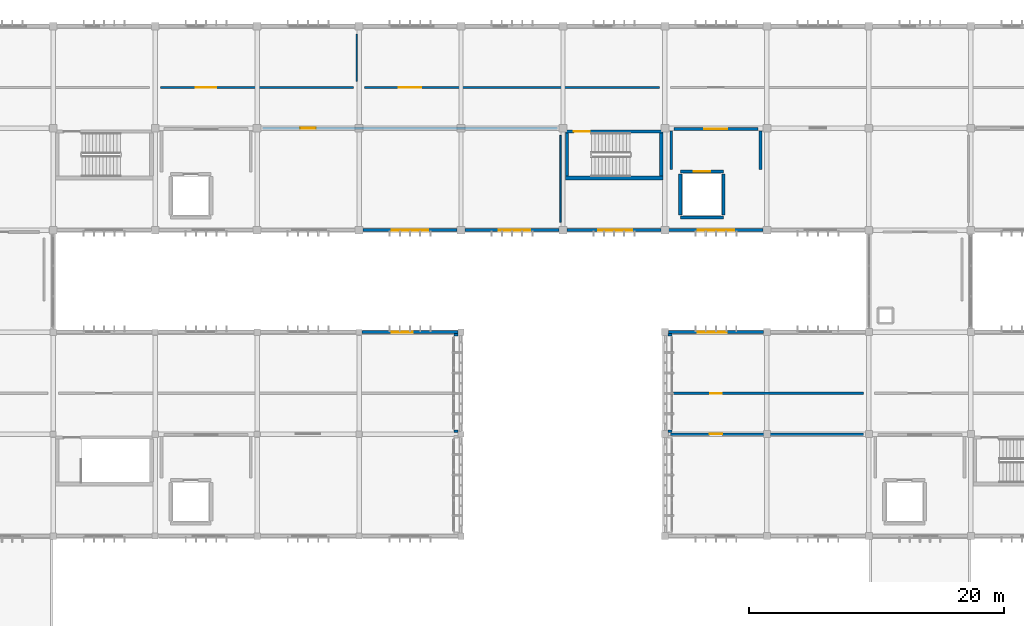
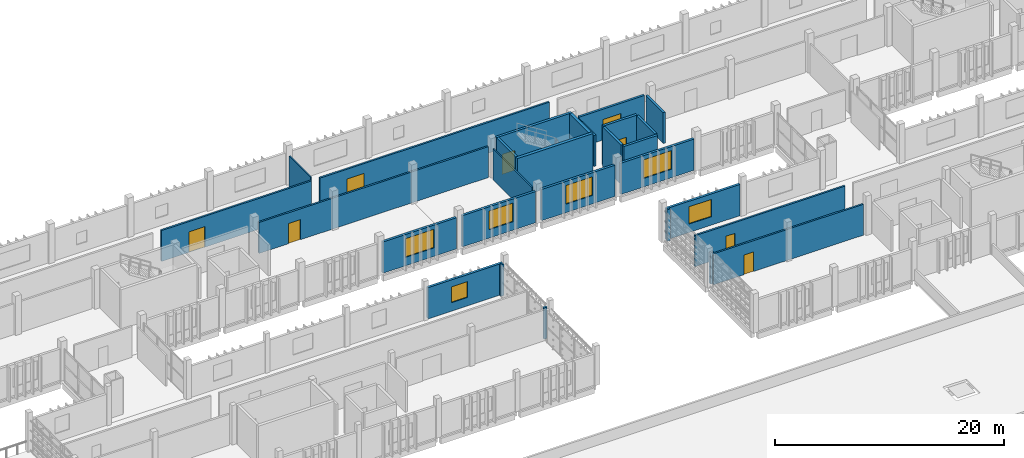
# One storey, part 34 of 48: 28 walls, 8 doors, 6 windows, 14 openings.
"""IFC4 building model written with IfcOpenShell, lengths in metres."""

from ifc_helpers import new_model, si_unit, direction, frame, frame_2d, origin, place, context, subcontext, project, spatial, rectangle, extrude, material, layer, layer_set, type_object, element, fill, save


model = new_model("IFC4")

# Units and contexts
model_context = context("Model", 3, precision=1e-05, world=origin(), true_north=direction((0.0, 1.0)))
body_context = subcontext(model_context, "Body", "Model", "MODEL_VIEW")
ifc_project = project(units=[si_unit("LENGTHUNIT", "METRE"), si_unit("AREAUNIT", "SQUARE_METRE"), si_unit("VOLUMEUNIT", "CUBIC_METRE"), si_unit("PLANEANGLEUNIT", "RADIAN"), si_unit("MASSUNIT", "GRAM", prefix="KILO")], contexts=[model_context])

# Site, building, storey
site_placement = place(None, origin())
site = spatial("IfcSite", under=ifc_project, at=site_placement, CompositionType="ELEMENT")
building_placement = place(site_placement, origin())
building = spatial("IfcBuilding", under=site, at=building_placement, Name="Jelvoka-Kovrelna Polytechnic", CompositionType="ELEMENT")
storey_placement = place(building_placement, frame((0.0, 0.0, 22.199951171875)))
storey = spatial("IfcBuildingStorey", under=building, at=storey_placement, Name="L06", CompositionType="ELEMENT", Elevation=22.199951171875)

# Wall, opening, door
ifc_material_1 = material(Name="Concrete C35/45", Category="concrete")
ifc_layer_1 = layer(ifc_material_1, 0.219970703125)
ifc_layer_set_1 = layer_set([ifc_layer_1], Name="Concrete C35/45")
wall_type_1 = type_object("IfcWallType", Name="Wall_Compartment_220", PredefinedType="PARTITIONING", material=ifc_layer_set_1)
wall_1_placement = place(storey_placement, frame((128.699951171875, 63.949951171875, 0.0), z_axis=(0.0, 0.0, 1.0), x_axis=(1.0, 0.0, 0.0)))
wall_1 = element("IfcWall", 1, at=wall_1_placement, inside=storey, type_object=wall_type_1, Name="L06 interior wall 0674", PredefinedType="PARTITIONING", context=body_context, shape_type="SweptSolid", body=[
    extrude(rectangle(XDim=6.60009765625, YDim=0.219970703125, at=frame_2d((3.300048828125, 0.0))), origin(), (0.0, 0.0, 1.0), 3.300048828125),
])
opening_1_placement = place(wall_1_placement, frame((2.39990234375, 0.0, 0.0)))
opening_1 = element("IfcOpeningElement", 2, at=opening_1_placement, cuts=wall_1, Name="Opening FD-L06-115", PredefinedType="OPENING", context=body_context, shape_type="SweptSolid", body=[
    extrude(rectangle(XDim=1.800048828125, YDim=2.199951171875, at=frame_2d((0.89990234375, 1.10009765625))), frame((0.0, 0.119873046875, 0.0), z_axis=(0.0, -1.0, 0.0), x_axis=(1.0, 0.0, 0.0)), (0.0, 0.0, 1.0), 0.239990234375),
])
ifc_material_2 = material(Name="Paired steel corridor fire door", Category="steel")
door_type_1 = type_object("IfcDoorType", Name="Door_Fire_FD03", OperationType="NOTDEFINED", PredefinedType="DOOR", material=ifc_material_2)
door_1_placement = place(opening_1_placement, origin())
door_1 = element("IfcDoor", 3, at=door_1_placement, inside=storey, type_object=door_type_1, Name="L06 interior door FD-L06-115", OperationType="DOUBLE_DOOR_SINGLE_SWING", OverallHeight=2.199951171875, OverallWidth=1.800048828125, PredefinedType="DOOR", context=body_context, shape_type="SweptSolid", body=[
    extrude(rectangle(XDim=1.800048828125, YDim=2.199951171875, at=frame_2d((0.89990234375, 1.10009765625))), frame((0.0, 0.02490234375, 0.0), z_axis=(0.0, -1.0, 0.0), x_axis=(1.0, 0.0, 0.0)), (0.0, 0.0, 1.0), 0.050048828125),
])
fill(opening_1, door_1)

# Walls
for number, where, z_axis, x_axis, name in (
    (4, (128.5, 60.75, 0.0), (0.0, 0.0, 1.0), (0.0, 1.0, 0.0), "L06 interior wall 0675"),
    (5, (135.5, 60.75, 0.0), (0.0, 0.0, 1.0), (0.0, 1.0, 0.0), "L06 interior wall 0676"),
):
    element("IfcWall", number, at=place(storey_placement, frame(where, z_axis=z_axis, x_axis=x_axis)), inside=storey, type_object=wall_type_1, Name=name, PredefinedType="PARTITIONING", context=body_context, shape_type="SweptSolid", body=[
        extrude(rectangle(XDim=3.050048828125, YDim=0.219970703125, at=frame_2d((1.52490234375, 0.0))), origin(), (0.0, 0.0, 1.0), 3.300048828125),
    ])

# Wall, opening, door
ifc_material_3 = material(Name="Concrete C40/50", Category="concrete")
ifc_layer_2 = layer(ifc_material_3, 0.25)
ifc_layer_set_2 = layer_set([ifc_layer_2], Name="Concrete C40/50")
wall_type_2 = type_object("IfcWallType", Name="Wall_Core_250", PredefinedType="SOLIDWALL", material=ifc_layer_set_2)
wall_2_placement = place(storey_placement, frame((120.199951171875, 63.739990234375, 0.0), z_axis=(0.0, 0.0, 1.0), x_axis=(1.0, 0.0, 0.0)))
wall_2 = element("IfcWall", 6, at=wall_2_placement, inside=storey, type_object=wall_type_2, Name="L06 interior wall 0243", PredefinedType="SOLIDWALL", context=body_context, shape_type="SweptSolid", body=[
    extrude(rectangle(XDim=7.650146484375, YDim=0.25, at=frame_2d((3.8251953125, 0.0))), origin(), (0.0, 0.0, 1.0), 4.199951171875),
])
opening_2_placement = place(wall_2_placement, frame((0.64990234375, 0.0, 0.0)))
opening_2 = element("IfcOpeningElement", 7, at=opening_2_placement, cuts=wall_2, Name="Opening SD-L06-061", PredefinedType="OPENING", context=body_context, shape_type="SweptSolid", body=[
    extrude(rectangle(XDim=1.25, YDim=2.14990234375, at=frame_2d((0.625, 1.074951171875))), frame((0.0, 0.135009765625, 0.0), z_axis=(0.0, -1.0, 0.0), x_axis=(1.0, 0.0, 0.0)), (0.0, 0.0, 1.0), 0.27001953125),
])
ifc_material_4 = material(Name="Powder-coated steel fire door", Category="steel")
door_type_2 = type_object("IfcDoorType", Name="Door_Fire_FD02", OperationType="NOTDEFINED", PredefinedType="DOOR", material=ifc_material_4)
door_2_placement = place(opening_2_placement, origin())
door_2 = element("IfcDoor", 8, at=door_2_placement, inside=storey, type_object=door_type_2, Name="L06 interior door SD-L06-061", OperationType="SINGLE_SWING_LEFT", OverallHeight=2.14990234375, OverallWidth=1.25, PredefinedType="DOOR", context=body_context, shape_type="SweptSolid", body=[
    extrude(rectangle(XDim=1.25, YDim=2.14990234375, at=frame_2d((0.625, 1.074951171875))), frame((0.0, 0.02490234375, 0.0), z_axis=(0.0, -1.0, 0.0), x_axis=(1.0, 0.0, 0.0)), (0.0, 0.0, 1.0), 0.050048828125),
])
fill(opening_2, door_2)

# Walls
wall_3_placement = place(storey_placement, frame((120.324951171875, 60.25, 0.0), z_axis=(0.0, 0.0, 1.0), x_axis=(0.0, 1.0, 0.0)))
element("IfcWall", 9, at=wall_3_placement, inside=storey, type_object=wall_type_2, Name="L06 interior wall 0244", PredefinedType="SOLIDWALL", context=body_context, shape_type="SweptSolid", body=[
    extrude(rectangle(XDim=3.360107421875, YDim=0.25, at=frame_2d((1.68017578125, 0.0))), origin(), (0.0, 0.0, 1.0), 4.199951171875),
])
wall_4_placement = place(storey_placement, frame((129.199951171875, 57.0, 0.0), z_axis=(0.0, 0.0, 1.0), x_axis=(1.0, 0.0, 0.0)))
element("IfcWall", 10, at=wall_4_placement, inside=storey, type_object=wall_type_2, Name="L06 interior wall 0670", PredefinedType="SOLIDWALL", context=body_context, shape_type="SweptSolid", body=[
    extrude(rectangle(XDim=3.400146484375, YDim=0.25, at=frame_2d((1.7001953125, 0.0))), origin(), (0.0, 0.0, 1.0), 4.199951171875),
])

# Wall, opening, door
wall_5_placement = place(storey_placement, frame((129.199951171875, 60.60009765625, 0.0), z_axis=(0.0, 0.0, 1.0), x_axis=(1.0, 0.0, 0.0)))
wall_5 = element("IfcWall", 11, at=wall_5_placement, inside=storey, type_object=wall_type_2, Name="L06 interior wall 0671", PredefinedType="SOLIDWALL", context=body_context, shape_type="SweptSolid", body=[
    extrude(rectangle(XDim=3.400146484375, YDim=0.25, at=frame_2d((1.7001953125, 0.0))), origin(), (0.0, 0.0, 1.0), 4.199951171875),
])
opening_3_placement = place(wall_5_placement, frame((1.050048828125, 0.0, 0.0)))
opening_3 = element("IfcOpeningElement", 12, at=opening_3_placement, cuts=wall_5, Name="Opening LD-L06-52", PredefinedType="OPENING", context=body_context, shape_type="SweptSolid", body=[
    extrude(rectangle(XDim=1.300048828125, YDim=2.199951171875, at=frame_2d((0.64990234375, 1.10009765625))), frame((0.0, 0.135009765625, 0.0), z_axis=(0.0, -1.0, 0.0), x_axis=(1.0, 0.0, 0.0)), (0.0, 0.0, 1.0), 0.27001953125),
])
ifc_material_5 = material(Name="Heavy-duty stainless goods lift landing door", Category="wood")
door_type_3 = type_object("IfcDoorType", Name="Door_Lift_LD02", OperationType="NOTDEFINED", PredefinedType="DOOR", material=ifc_material_5)
door_3_placement = place(opening_3_placement, origin())
door_3 = element("IfcDoor", 13, at=door_3_placement, inside=storey, type_object=door_type_3, Name="L06 lift landing sliding door LD-L06-52", OperationType="DOUBLE_DOOR_SLIDING", OverallHeight=2.199951171875, OverallWidth=1.300048828125, PredefinedType="DOOR", context=body_context, shape_type="SweptSolid", body=[
    extrude(rectangle(XDim=1.300048828125, YDim=2.199951171875, at=frame_2d((0.64990234375, 1.10009765625))), frame((0.0, 0.02490234375, 0.0), z_axis=(0.0, -1.0, 0.0), x_axis=(1.0, 0.0, 0.0)), (0.0, 0.0, 1.0), 0.050048828125),
])
fill(opening_3, door_3)

# Walls
for number, where, z_axis, x_axis, name in (
    (14, (129.199951171875, 57.199951171875, 0.0), (0.0, 0.0, 1.0), (0.0, 1.0, 0.0), "L06 interior wall 0672"),
    (15, (132.60009765625, 57.199951171875, 0.0), (0.0, 0.0, 1.0), (0.0, 1.0, 0.0), "L06 interior wall 0673"),
):
    element("IfcWall", number, at=place(storey_placement, frame(where, z_axis=z_axis, x_axis=x_axis)), inside=storey, type_object=wall_type_2, Name=name, PredefinedType="SOLIDWALL", context=body_context, shape_type="SweptSolid", body=[
        extrude(rectangle(XDim=3.199951171875, YDim=0.25, at=frame_2d((1.60009765625, 0.0))), origin(), (0.0, 0.0, 1.0), 4.199951171875),
    ])

# Wall, opening, door
ifc_material_6 = material(Name="Autoclaved aerated concrete blockwork", Category="masonry")
ifc_layer_3 = layer(ifc_material_6, 0.179931640625)
ifc_layer_set_3 = layer_set([ifc_layer_3], Name="Autoclaved aerated concrete blockwork")
wall_type_3 = type_object("IfcWallType", Name="Wall_Corridor_180", PredefinedType="PARTITIONING", material=ifc_layer_set_3)
wall_6_placement = place(storey_placement, frame((128.429931640625, 40.0, 0.0), z_axis=(0.0, 0.0, 1.0), x_axis=(1.0, 0.0, 0.0)))
wall_6 = element("IfcWall", 16, at=wall_6_placement, inside=storey, type_object=wall_type_3, Name="L06 interior wall 1244", PredefinedType="PARTITIONING", context=body_context, shape_type="SweptSolid", body=[
    extrude(rectangle(XDim=15.14013671875, YDim=0.179931640625, at=frame_2d((7.570068359375, 0.0))), origin(), (0.0, 0.0, 1.0), 3.300048828125),
])
opening_4_placement = place(wall_6_placement, frame((3.080078125, 0.0, 0.0)))
opening_4 = element("IfcOpeningElement", 17, at=opening_4_placement, cuts=wall_6, Name="Opening D-L06-420", PredefinedType="OPENING", context=body_context, shape_type="SweptSolid", body=[
    extrude(rectangle(XDim=0.97998046875, YDim=2.10009765625, at=frame_2d((0.489990234375, 1.050048828125))), frame((0.0, 0.099853515625, 0.0), z_axis=(0.0, -1.0, 0.0), x_axis=(1.0, 0.0, 0.0)), (0.0, 0.0, 1.0), 0.199951171875),
])
ifc_material_7 = material(Name="Hardwood solid-core door", Category="wood")
door_type_4 = type_object("IfcDoorType", Name="Door_Int_D03", OperationType="NOTDEFINED", PredefinedType="DOOR", material=ifc_material_7)
door_4_placement = place(opening_4_placement, origin())
door_4 = element("IfcDoor", 18, at=door_4_placement, inside=storey, type_object=door_type_4, Name="L06 interior door D-L06-420", OperationType="SINGLE_SWING_RIGHT", OverallHeight=2.10009765625, OverallWidth=0.97998046875, PredefinedType="DOOR", context=body_context, shape_type="SweptSolid", body=[
    extrude(rectangle(XDim=0.97998046875, YDim=2.10009765625, at=frame_2d((0.489990234375, 1.050048828125))), frame((0.0, 0.02490234375, 0.0), z_axis=(0.0, -1.0, 0.0), x_axis=(1.0, 0.0, 0.0)), (0.0, 0.0, 1.0), 0.050048828125),
])
fill(opening_4, door_4)

wall_7_placement = place(storey_placement, frame((128.429931640625, 43.199951171875, 0.0), z_axis=(0.0, 0.0, 1.0), x_axis=(1.0, 0.0, 0.0)))
wall_7 = element("IfcWall", 19, at=wall_7_placement, inside=storey, type_object=wall_type_3, Name="L06 interior wall 1247", PredefinedType="PARTITIONING", context=body_context, shape_type="SweptSolid", body=[
    extrude(rectangle(XDim=15.14013671875, YDim=0.179931640625, at=frame_2d((7.570068359375, 0.0))), origin(), (0.0, 0.0, 1.0), 3.300048828125),
])
opening_5_placement = place(wall_7_placement, frame((3.110107421875, 0.0, 0.0)))
opening_5 = element("IfcOpeningElement", 20, at=opening_5_placement, cuts=wall_7, Name="Opening D-L06-423", PredefinedType="OPENING", context=body_context, shape_type="SweptSolid", body=[
    extrude(rectangle(XDim=0.919921875, YDim=2.14990234375, at=frame_2d((0.4599609375, 1.074951171875))), frame((0.0, 0.099853515625, 0.0), z_axis=(0.0, -1.0, 0.0), x_axis=(1.0, 0.0, 0.0)), (0.0, 0.0, 1.0), 0.199951171875),
])
ifc_material_8 = material(Name="Hardwood solid-core door", Category="wood")
door_type_5 = type_object("IfcDoorType", Name="Door_Int_D06", OperationType="NOTDEFINED", PredefinedType="DOOR", material=ifc_material_8)
door_5_placement = place(opening_5_placement, origin())
door_5 = element("IfcDoor", 21, at=door_5_placement, inside=storey, type_object=door_type_5, Name="L06 interior door D-L06-423", OperationType="SINGLE_SWING_RIGHT", OverallHeight=2.14990234375, OverallWidth=0.919921875, PredefinedType="DOOR", context=body_context, shape_type="SweptSolid", body=[
    extrude(rectangle(XDim=0.919921875, YDim=2.14990234375, at=frame_2d((0.4599609375, 1.074951171875))), frame((0.0, 0.02490234375, 0.0), z_axis=(0.0, -1.0, 0.0), x_axis=(1.0, 0.0, 0.0)), (0.0, 0.0, 1.0), 0.050048828125),
])
fill(opening_5, door_5)

wall_8_placement = place(storey_placement, frame((96.429931640625, 64.0, 0.0), z_axis=(0.0, 0.0, 1.0), x_axis=(1.0, 0.0, 0.0)))
wall_8 = element("IfcWall", 22, at=wall_8_placement, inside=storey, type_object=wall_type_3, Name="L06 interior wall 1253", PredefinedType="PARTITIONING", context=body_context, shape_type="SweptSolid", body=[
    extrude(rectangle(XDim=23.14013671875, YDim=0.179931640625, at=frame_2d((11.570068359375, 0.0))), origin(), (0.0, 0.0, 1.0), 3.300048828125),
])
opening_6_placement = place(wall_8_placement, frame((2.969970703125, 0.0, 0.0)))
opening_6 = element("IfcOpeningElement", 23, at=opening_6_placement, cuts=wall_8, Name="Opening D-L06-428", PredefinedType="OPENING", context=body_context, shape_type="SweptSolid", body=[
    extrude(rectangle(XDim=1.199951171875, YDim=2.14990234375, at=frame_2d((0.60009765625, 1.074951171875))), frame((0.0, 0.099853515625, 0.0), z_axis=(0.0, -1.0, 0.0), x_axis=(1.0, 0.0, 0.0)), (0.0, 0.0, 1.0), 0.199951171875),
])
ifc_material_9 = material(Name="Laboratory vision-panel door", Category="wood")
door_type_6 = type_object("IfcDoorType", Name="Door_Int_D12", OperationType="NOTDEFINED", PredefinedType="DOOR", material=ifc_material_9)
door_6_placement = place(opening_6_placement, origin())
door_6 = element("IfcDoor", 24, at=door_6_placement, inside=storey, type_object=door_type_6, Name="L06 interior door D-L06-428", OperationType="SINGLE_SWING_RIGHT", OverallHeight=2.14990234375, OverallWidth=1.199951171875, PredefinedType="DOOR", context=body_context, shape_type="SweptSolid", body=[
    extrude(rectangle(XDim=1.199951171875, YDim=2.14990234375, at=frame_2d((0.60009765625, 1.074951171875))), frame((0.0, 0.02490234375, 0.0), z_axis=(0.0, -1.0, 0.0), x_axis=(1.0, 0.0, 0.0)), (0.0, 0.0, 1.0), 0.050048828125),
])
fill(opening_6, door_6)

wall_9_placement = place(storey_placement, frame((88.429931640625, 67.199951171875, 0.0), z_axis=(0.0, 0.0, 1.0), x_axis=(1.0, 0.0, 0.0)))
wall_9 = element("IfcWall", 25, at=wall_9_placement, inside=storey, type_object=wall_type_3, Name="L06 interior wall 1260", PredefinedType="PARTITIONING", context=body_context, shape_type="SweptSolid", body=[
    extrude(rectangle(XDim=15.14013671875, YDim=0.179931640625, at=frame_2d((7.570068359375, 0.0))), origin(), (0.0, 0.0, 1.0), 3.300048828125),
])
opening_7_placement = place(wall_9_placement, frame((2.760009765625, 0.0, 0.0)))
opening_7 = element("IfcOpeningElement", 26, at=opening_7_placement, cuts=wall_9, Name="Opening D-L06-433", PredefinedType="OPENING", context=body_context, shape_type="SweptSolid", body=[
    extrude(rectangle(XDim=1.6201171875, YDim=2.199951171875, at=frame_2d((0.81005859375, 1.10009765625))), frame((0.0, 0.099853515625, 0.0), z_axis=(0.0, -1.0, 0.0), x_axis=(1.0, 0.0, 0.0)), (0.0, 0.0, 1.0), 0.199951171875),
])
ifc_material_10 = material(Name="Paired library reading hall door", Category="wood")
door_type_7 = type_object("IfcDoorType", Name="Door_Int_D19", OperationType="NOTDEFINED", PredefinedType="DOOR", material=ifc_material_10)
door_7_placement = place(opening_7_placement, origin())
door_7 = element("IfcDoor", 27, at=door_7_placement, inside=storey, type_object=door_type_7, Name="L06 interior door D-L06-433", OperationType="DOUBLE_DOOR_SINGLE_SWING", OverallHeight=2.199951171875, OverallWidth=1.6201171875, PredefinedType="DOOR", context=body_context, shape_type="SweptSolid", body=[
    extrude(rectangle(XDim=1.6201171875, YDim=2.199951171875, at=frame_2d((0.81005859375, 1.10009765625))), frame((0.0, 0.02490234375, 0.0), z_axis=(0.0, -1.0, 0.0), x_axis=(1.0, 0.0, 0.0)), (0.0, 0.0, 1.0), 0.050048828125),
])
fill(opening_7, door_7)

wall_10_placement = place(storey_placement, frame((104.429931640625, 67.199951171875, 0.0), z_axis=(0.0, 0.0, 1.0), x_axis=(1.0, 0.0, 0.0)))
wall_10 = element("IfcWall", 28, at=wall_10_placement, inside=storey, type_object=wall_type_3, Name="L06 interior wall 1262", PredefinedType="PARTITIONING", context=body_context, shape_type="SweptSolid", body=[
    extrude(rectangle(XDim=23.14013671875, YDim=0.179931640625, at=frame_2d((11.570068359375, 0.0))), origin(), (0.0, 0.0, 1.0), 3.300048828125),
])
opening_8_placement = place(wall_10_placement, frame((2.68994140625, 0.0, 0.0)))
opening_8 = element("IfcOpeningElement", 29, at=opening_8_placement, cuts=wall_10, Name="Opening D-L06-434", PredefinedType="OPENING", context=body_context, shape_type="SweptSolid", body=[
    extrude(rectangle(XDim=1.760009765625, YDim=2.25, at=frame_2d((0.8798828125, 1.125))), frame((0.0, 0.099853515625, 0.0), z_axis=(0.0, -1.0, 0.0), x_axis=(1.0, 0.0, 0.0)), (0.0, 0.0, 1.0), 0.199951171875),
])
ifc_material_11 = material(Name="Paired refectory hall double door", Category="wood")
door_type_8 = type_object("IfcDoorType", Name="Door_Int_D21", OperationType="NOTDEFINED", PredefinedType="DOOR", material=ifc_material_11)
door_8_placement = place(opening_8_placement, origin())
door_8 = element("IfcDoor", 30, at=door_8_placement, inside=storey, type_object=door_type_8, Name="L06 interior door D-L06-434", OperationType="DOUBLE_DOOR_SINGLE_SWING", OverallHeight=2.25, OverallWidth=1.760009765625, PredefinedType="DOOR", context=body_context, shape_type="SweptSolid", body=[
    extrude(rectangle(XDim=1.760009765625, YDim=2.25, at=frame_2d((0.8798828125, 1.125))), frame((0.0, 0.02490234375, 0.0), z_axis=(0.0, -1.0, 0.0), x_axis=(1.0, 0.0, 0.0)), (0.0, 0.0, 1.0), 0.050048828125),
])
fill(opening_8, door_8)

# Wall, opening, window
ifc_material_12 = material(Name="Precast concrete C40/50", Category="concrete")
ifc_layer_4 = layer(ifc_material_12, 0.239990234375)
ifc_layer_set_4 = layer_set([ifc_layer_4], Name="Precast concrete C40/50")
wall_type_4 = type_object("IfcWallType", Name="Wall_Ext_White_240", PredefinedType="STANDARD", material=ifc_layer_set_4)
wall_11_placement = place(storey_placement, frame((104.221923828125, 48.0, 0.0), z_axis=(0.0, 0.0, 1.0), x_axis=(1.0, 0.0, 0.0)))
wall_11 = element("IfcWall", 31, at=wall_11_placement, inside=storey, type_object=wall_type_4, Name="L06 exterior wall 0438", PredefinedType="STANDARD", context=body_context, shape_type="SweptSolid", body=[
    extrude(rectangle(XDim=7.531005859375, YDim=0.239990234375, at=frame_2d((3.765625, 0.0))), origin(), (0.0, 0.0, 1.0), 3.3349609375),
])
opening_9_placement = place(wall_11_placement, frame((2.35791015625, 0.0, 0.89990234375)))
opening_9 = element("IfcOpeningElement", 32, at=opening_9_placement, cuts=wall_11, Name="Opening W-L06-167", PredefinedType="OPENING", context=body_context, shape_type="SweptSolid", body=[
    extrude(rectangle(XDim=1.64990234375, YDim=1.699951171875, at=frame_2d((0.824951171875, 0.85009765625))), frame((0.0, 0.130126953125, 0.0), z_axis=(0.0, -1.0, 0.0), x_axis=(1.0, 0.0, 0.0)), (0.0, 0.0, 1.0), 0.260009765625),
])
ifc_material_13 = material(Name="Thermally broken anodised aluminium and low-e glazing", Category="aluminium")
window_type_1 = type_object("IfcWindowType", Name="Win_Casement_W34", PartitioningType="DOUBLE_PANEL_VERTICAL", PredefinedType="WINDOW", material=ifc_material_13)
window_1_placement = place(opening_9_placement, origin())
window_1 = element("IfcWindow", 33, at=window_1_placement, inside=storey, type_object=window_type_1, Name="L06 aluminium casement window W-L06-167", OverallHeight=1.699951171875, OverallWidth=1.64990234375, PartitioningType="DOUBLE_PANEL_VERTICAL", PredefinedType="WINDOW", context=body_context, shape_type="SweptSolid", body=[
    extrude(rectangle(XDim=1.64990234375, YDim=1.699951171875, at=frame_2d((0.824951171875, 0.85009765625))), frame((0.0, 0.030029296875, 0.0), z_axis=(0.0, -1.0, 0.0), x_axis=(1.0, 0.0, 0.0)), (0.0, 0.0, 1.0), 0.06005859375),
])
fill(opening_9, window_1)

wall_12_placement = place(storey_placement, frame((128.27197265625, 48.0, 0.0), z_axis=(0.0, 0.0, 1.0), x_axis=(1.0, 0.0, 0.0)))
wall_12 = element("IfcWall", 34, at=wall_12_placement, inside=storey, type_object=wall_type_4, Name="L06 exterior wall 0531", PredefinedType="STANDARD", context=body_context, shape_type="SweptSolid", body=[
    extrude(rectangle(XDim=7.4560546875, YDim=0.239990234375, at=frame_2d((3.72802734375, 0.0))), origin(), (0.0, 0.0, 1.0), 3.3349609375),
])
opening_10_placement = place(wall_12_placement, frame((2.30810546875, 0.0, 0.89990234375)))
opening_10 = element("IfcOpeningElement", 35, at=opening_10_placement, cuts=wall_12, Name="Opening W-L06-224", PredefinedType="OPENING", context=body_context, shape_type="SweptSolid", body=[
    extrude(rectangle(XDim=2.25, YDim=1.85009765625, at=frame_2d((1.125, 0.925048828125))), frame((0.0, 0.130126953125, 0.0), z_axis=(0.0, -1.0, 0.0), x_axis=(1.0, 0.0, 0.0)), (0.0, 0.0, 1.0), 0.260009765625),
])
ifc_material_14 = material(Name="Thermally broken anodised aluminium and low-e glazing", Category="aluminium")
window_type_2 = type_object("IfcWindowType", Name="Win_Casement_W47", PartitioningType="DOUBLE_PANEL_VERTICAL", PredefinedType="WINDOW", material=ifc_material_14)
window_2_placement = place(opening_10_placement, origin())
window_2 = element("IfcWindow", 36, at=window_2_placement, inside=storey, type_object=window_type_2, Name="L06 aluminium casement window W-L06-224", OverallHeight=1.85009765625, OverallWidth=2.25, PartitioningType="DOUBLE_PANEL_VERTICAL", PredefinedType="WINDOW", context=body_context, shape_type="SweptSolid", body=[
    extrude(rectangle(XDim=2.25, YDim=1.85009765625, at=frame_2d((1.125, 0.925048828125))), frame((0.0, 0.030029296875, 0.0), z_axis=(0.0, -1.0, 0.0), x_axis=(1.0, 0.0, 0.0)), (0.0, 0.0, 1.0), 0.06005859375),
])
fill(opening_10, window_2)

wall_13_placement = place(storey_placement, frame((111.702880859375, 56.0, 0.0), z_axis=(0.0, 0.0, 1.0), x_axis=(-1.0, 0.0, 0.0)))
wall_13 = element("IfcWall", 37, at=wall_13_placement, inside=storey, type_object=wall_type_4, Name="L06 exterior wall 0756", PredefinedType="STANDARD", context=body_context, shape_type="SweptSolid", body=[
    extrude(rectangle(XDim=7.40576171875, YDim=0.239990234375, at=frame_2d((3.702880859375, 0.0))), origin(), (0.0, 0.0, 1.0), 3.3349609375),
])
opening_11_placement = place(wall_13_placement, frame((2.282958984375, 0.0, 0.89990234375)))
opening_11 = element("IfcOpeningElement", 38, at=opening_11_placement, cuts=wall_13, Name="Opening W-L06-414", PredefinedType="OPENING", context=body_context, shape_type="SweptSolid", body=[
    extrude(rectangle(XDim=2.85009765625, YDim=2.0, at=frame_2d((1.425048828125, 1.0))), frame((0.0, 0.130126953125, 0.0), z_axis=(0.0, -1.0, 0.0), x_axis=(1.0, 0.0, 0.0)), (0.0, 0.0, 1.0), 0.260009765625),
])
ifc_material_15 = material(Name="Thermally broken anodised aluminium and low-e glazing", Category="aluminium")
window_type_3 = type_object("IfcWindowType", Name="Win_Casement_W60", PartitioningType="DOUBLE_PANEL_VERTICAL", PredefinedType="WINDOW", material=ifc_material_15)
window_3_placement = place(opening_11_placement, origin())
window_3 = element("IfcWindow", 39, at=window_3_placement, inside=storey, type_object=window_type_3, Name="L06 aluminium casement window W-L06-414", OverallHeight=2.0, OverallWidth=2.85009765625, PartitioningType="DOUBLE_PANEL_VERTICAL", PredefinedType="WINDOW", context=body_context, shape_type="SweptSolid", body=[
    extrude(rectangle(XDim=2.85009765625, YDim=2.0, at=frame_2d((1.425048828125, 1.0))), frame((0.0, 0.030029296875, 0.0), z_axis=(0.0, -1.0, 0.0), x_axis=(1.0, 0.0, 0.0)), (0.0, 0.0, 1.0), 0.06005859375),
])
fill(opening_11, window_3)

wall_14_placement = place(storey_placement, frame((119.702880859375, 56.0, 0.0), z_axis=(0.0, 0.0, 1.0), x_axis=(-1.0, 0.0, 0.0)))
wall_14 = element("IfcWall", 40, at=wall_14_placement, inside=storey, type_object=wall_type_4, Name="L06 exterior wall 0758", PredefinedType="STANDARD", context=body_context, shape_type="SweptSolid", body=[
    extrude(rectangle(XDim=7.40576171875, YDim=0.239990234375, at=frame_2d((3.702880859375, 0.0))), origin(), (0.0, 0.0, 1.0), 3.3349609375),
])
opening_12_placement = place(wall_14_placement, frame((2.282958984375, 0.0, 0.89990234375)))
opening_12 = element("IfcOpeningElement", 41, at=opening_12_placement, cuts=wall_14, Name="Opening W-L06-416", PredefinedType="OPENING", context=body_context, shape_type="SweptSolid", body=[
    extrude(rectangle(XDim=2.449951171875, YDim=2.0, at=frame_2d((1.22509765625, 1.0))), frame((0.0, 0.130126953125, 0.0), z_axis=(0.0, -1.0, 0.0), x_axis=(1.0, 0.0, 0.0)), (0.0, 0.0, 1.0), 0.260009765625),
])
ifc_material_16 = material(Name="Thermally broken anodised aluminium and low-e glazing", Category="aluminium")
window_type_4 = type_object("IfcWindowType", Name="Win_Casement_W58", PartitioningType="DOUBLE_PANEL_VERTICAL", PredefinedType="WINDOW", material=ifc_material_16)
window_4_placement = place(opening_12_placement, origin())
window_4 = element("IfcWindow", 42, at=window_4_placement, inside=storey, type_object=window_type_4, Name="L06 aluminium casement window W-L06-416", OverallHeight=2.0, OverallWidth=2.449951171875, PartitioningType="DOUBLE_PANEL_VERTICAL", PredefinedType="WINDOW", context=body_context, shape_type="SweptSolid", body=[
    extrude(rectangle(XDim=2.449951171875, YDim=2.0, at=frame_2d((1.22509765625, 1.0))), frame((0.0, 0.030029296875, 0.0), z_axis=(0.0, -1.0, 0.0), x_axis=(1.0, 0.0, 0.0)), (0.0, 0.0, 1.0), 0.06005859375),
])
fill(opening_12, window_4)

wall_15_placement = place(storey_placement, frame((127.702880859375, 56.0, 0.0), z_axis=(0.0, 0.0, 1.0), x_axis=(-1.0, 0.0, 0.0)))
wall_15 = element("IfcWall", 43, at=wall_15_placement, inside=storey, type_object=wall_type_4, Name="L06 exterior wall 0760", PredefinedType="STANDARD", context=body_context, shape_type="SweptSolid", body=[
    extrude(rectangle(XDim=7.40576171875, YDim=0.239990234375, at=frame_2d((3.702880859375, 0.0))), origin(), (0.0, 0.0, 1.0), 3.3349609375),
])
opening_13_placement = place(wall_15_placement, frame((2.282958984375, 0.0, 0.89990234375)))
opening_13 = element("IfcOpeningElement", 44, at=opening_13_placement, cuts=wall_15, Name="Opening W-L06-418", PredefinedType="OPENING", context=body_context, shape_type="SweptSolid", body=[
    extrude(rectangle(XDim=2.64990234375, YDim=2.0, at=frame_2d((1.324951171875, 1.0))), frame((0.0, 0.130126953125, 0.0), z_axis=(0.0, -1.0, 0.0), x_axis=(1.0, 0.0, 0.0)), (0.0, 0.0, 1.0), 0.260009765625),
])
ifc_material_17 = material(Name="Thermally broken anodised aluminium and low-e glazing", Category="aluminium")
window_type_5 = type_object("IfcWindowType", Name="Win_Casement_W59", PartitioningType="DOUBLE_PANEL_VERTICAL", PredefinedType="WINDOW", material=ifc_material_17)
window_5_placement = place(opening_13_placement, origin())
window_5 = element("IfcWindow", 45, at=window_5_placement, inside=storey, type_object=window_type_5, Name="L06 aluminium casement window W-L06-418", OverallHeight=2.0, OverallWidth=2.64990234375, PartitioningType="DOUBLE_PANEL_VERTICAL", PredefinedType="WINDOW", context=body_context, shape_type="SweptSolid", body=[
    extrude(rectangle(XDim=2.64990234375, YDim=2.0, at=frame_2d((1.324951171875, 1.0))), frame((0.0, 0.030029296875, 0.0), z_axis=(0.0, -1.0, 0.0), x_axis=(1.0, 0.0, 0.0)), (0.0, 0.0, 1.0), 0.06005859375),
])
fill(opening_13, window_5)

wall_16_placement = place(storey_placement, frame((135.702880859375, 56.0, 0.0), z_axis=(0.0, 0.0, 1.0), x_axis=(-1.0, 0.0, 0.0)))
wall_16 = element("IfcWall", 46, at=wall_16_placement, inside=storey, type_object=wall_type_4, Name="L06 exterior wall 0762", PredefinedType="STANDARD", context=body_context, shape_type="SweptSolid", body=[
    extrude(rectangle(XDim=7.40576171875, YDim=0.239990234375, at=frame_2d((3.702880859375, 0.0))), origin(), (0.0, 0.0, 1.0), 3.3349609375),
])
opening_14_placement = place(wall_16_placement, frame((2.282958984375, 0.0, 0.89990234375)))
opening_14 = element("IfcOpeningElement", 47, at=opening_14_placement, cuts=wall_16, Name="Opening W-L06-420", PredefinedType="OPENING", context=body_context, shape_type="SweptSolid", body=[
    extrude(rectangle(XDim=2.85009765625, YDim=2.0, at=frame_2d((1.425048828125, 1.0))), frame((0.0, 0.130126953125, 0.0), z_axis=(0.0, -1.0, 0.0), x_axis=(1.0, 0.0, 0.0)), (0.0, 0.0, 1.0), 0.260009765625),
])
window_6_placement = place(opening_14_placement, origin())
window_6 = element("IfcWindow", 48, at=window_6_placement, inside=storey, type_object=window_type_3, Name="L06 aluminium casement window W-L06-420", OverallHeight=2.0, OverallWidth=2.85009765625, PartitioningType="DOUBLE_PANEL_VERTICAL", PredefinedType="WINDOW", context=body_context, shape_type="SweptSolid", body=[
    extrude(rectangle(XDim=2.85009765625, YDim=2.0, at=frame_2d((1.425048828125, 1.0))), frame((0.0, 0.030029296875, 0.0), z_axis=(0.0, -1.0, 0.0), x_axis=(1.0, 0.0, 0.0)), (0.0, 0.0, 1.0), 0.06005859375),
])
fill(opening_14, window_6)

# Walls
ifc_material_18 = material(Name="Acoustic operable timber-aluminium panel", Category="wood")
ifc_layer_5 = layer(ifc_material_18, 0.110107421875)
ifc_layer_set_5 = layer_set([ifc_layer_5], Name="Acoustic operable timber-aluminium panel")
wall_type_5 = type_object("IfcWallType", Name="Wall_Movable_110", PredefinedType="MOVABLE", material=ifc_layer_set_5)
wall_17_placement = place(storey_placement, frame((103.820068359375, 67.669921875, 0.0), z_axis=(0.0, 0.0, 1.0), x_axis=(0.0, 1.0, 0.0)))
element("IfcWall", 49, at=wall_17_placement, inside=storey, type_object=wall_type_5, Name="L06 interior wall 1261", PredefinedType="MOVABLE", context=body_context, shape_type="SweptSolid", body=[
    extrude(rectangle(XDim=3.7099609375, YDim=0.110107421875, at=frame_2d((1.85498046875, 0.0))), origin(), (0.0, 0.0, 1.0), 3.300048828125),
])
ifc_material_19 = material(Name="Precast concrete C40/50", Category="concrete")
ifc_layer_6 = layer(ifc_material_19, 0.199951171875)
ifc_layer_set_6 = layer_set([ifc_layer_6], Name="Precast concrete C40/50")
wall_type_6 = type_object("IfcWallType", Name="Wall_Parapet_200", PredefinedType="PARAPET", material=ifc_layer_set_6)
for number, where, z_axis, x_axis, name in (
    (50, (111.760009765625, 40.219970703125, 0.0), (0.0, 0.0, 1.0), (-1.0, 0.0, 0.0), "L06 exterior wall 0444"),
    (51, (111.760009765625, 47.780029296875, 0.0), (0.0, 0.0, 1.0), (-1.0, 0.0, 0.0), "L06 exterior wall 0445"),
    (52, (128.239990234375, 40.219970703125, 0.0), (0.0, 0.0, 1.0), (1.0, 0.0, 0.0), "L06 exterior wall 0549"),
    (53, (128.239990234375, 47.780029296875, 0.0), (0.0, 0.0, 1.0), (1.0, 0.0, 0.0), "L06 exterior wall 0550"),
):
    element("IfcWall", number, at=place(storey_placement, frame(where, z_axis=z_axis, x_axis=x_axis)), inside=storey, type_object=wall_type_6, Name=name, PredefinedType="PARAPET", context=body_context, shape_type="SweptSolid", body=[
        extrude(rectangle(XDim=0.320068359375, YDim=0.199951171875, at=frame_2d((0.16015625, 0.0))), origin(), (0.0, 0.0, 1.0), 3.35009765625),
    ])
ifc_material_20 = material(Name="Acoustic gypsum stud partition")
ifc_layer_7 = layer(ifc_material_20, 0.125)
ifc_layer_set_7 = layer_set([ifc_layer_7], Name="Acoustic gypsum stud partition")
wall_type_7 = type_object("IfcWallType", Name="Wall_Partition_125", PredefinedType="PARTITIONING", material=ifc_layer_set_7)
wall_18_placement = place(storey_placement, frame((119.820068359375, 56.6201171875, 0.0), z_axis=(0.0, 0.0, 1.0), x_axis=(0.0, 1.0, 0.0)))
element("IfcWall", 54, at=wall_18_placement, inside=storey, type_object=wall_type_7, Name="L06 interior wall 1254", PredefinedType="PARTITIONING", context=body_context, shape_type="SweptSolid", body=[
    extrude(rectangle(XDim=6.809814453125, YDim=0.125, at=frame_2d((3.40478515625, 0.0))), origin(), (0.0, 0.0, 1.0), 3.300048828125),
])
ifc_material_21 = material(Name="Concrete C40/50", Category="concrete")
ifc_layer_8 = layer(ifc_material_21, 0.300048828125)
ifc_layer_set_8 = layer_set([ifc_layer_8], Name="Concrete C40/50")
wall_type_8 = type_object("IfcWallType", Name="Wall_Shear_300", PredefinedType="SHEAR", material=ifc_layer_set_8)
wall_19_placement = place(storey_placement, frame((120.199951171875, 60.090087890625, 0.0), z_axis=(0.0, 0.0, 1.0), x_axis=(1.0, 0.0, 0.0)))
element("IfcWall", 55, at=wall_19_placement, inside=storey, type_object=wall_type_8, Name="L06 interior wall 0241", PredefinedType="SHEAR", context=body_context, shape_type="SweptSolid", body=[
    extrude(rectangle(XDim=7.650146484375, YDim=0.300048828125, at=frame_2d((3.8251953125, 0.0))), origin(), (0.0, 0.0, 1.0), 4.199951171875),
])
wall_20_placement = place(storey_placement, frame((127.7099609375, 60.25, 0.0), z_axis=(0.0, 0.0, 1.0), x_axis=(0.0, 1.0, 0.0)))
element("IfcWall", 56, at=wall_20_placement, inside=storey, type_object=wall_type_8, Name="L06 interior wall 0242", PredefinedType="SHEAR", context=body_context, shape_type="SweptSolid", body=[
    extrude(rectangle(XDim=3.360107421875, YDim=0.300048828125, at=frame_2d((1.68017578125, 0.0))), origin(), (0.0, 0.0, 1.0), 4.199951171875),
])

save(model, "model.ifc")
